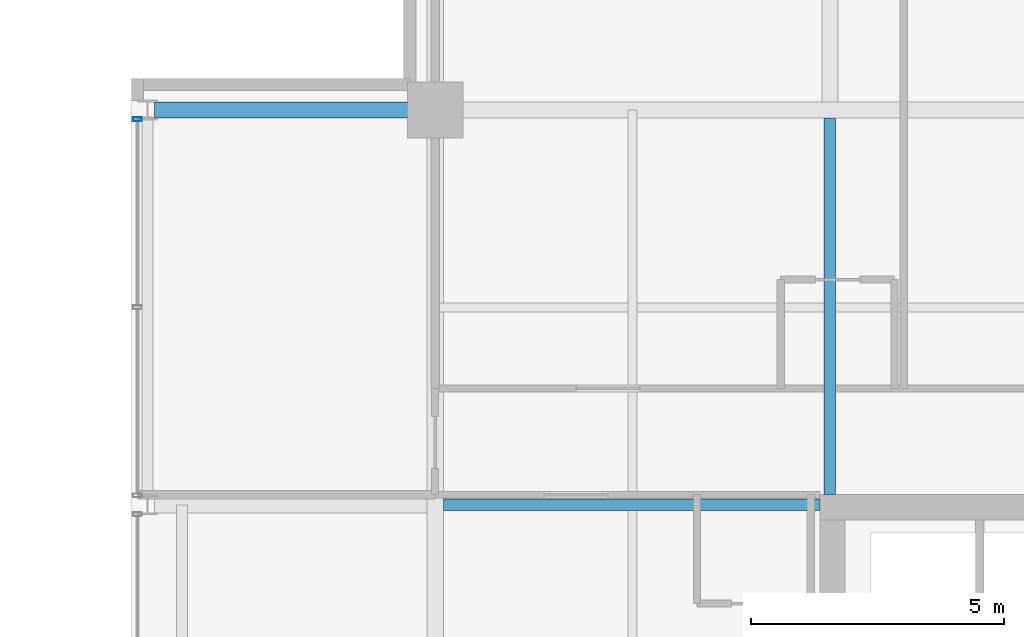
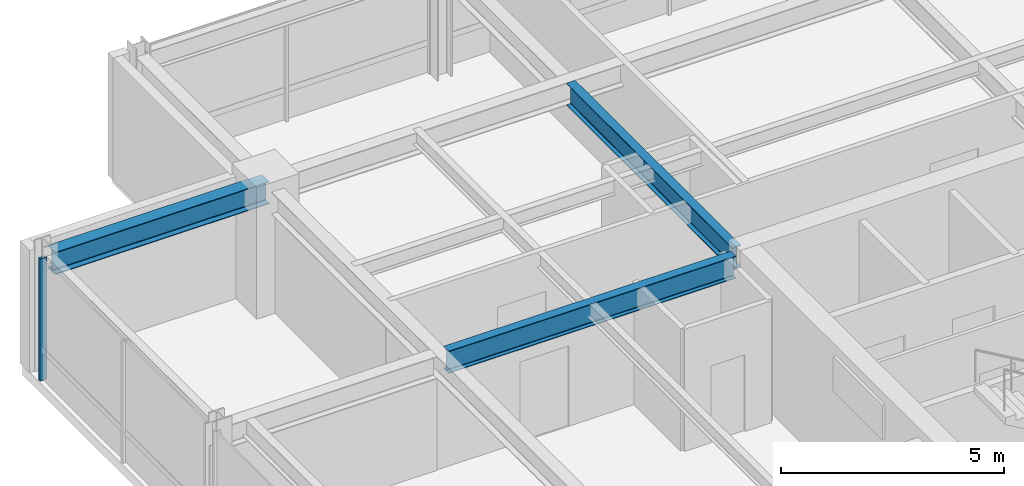
# One storey, part 18 of 32: 3 beams, 1 member, 1 element without a shape of its own.
"""IFC4 building model written with IfcOpenShell, lengths in metres."""

from ifc_helpers import new_model, si_unit, direction, frame, origin, origin_2d, place, context, subcontext, project, spatial, hollow_rectangle, i_section, extrude, material, layer, layer_set, material_profile, profile_set, type_object, element, aggregate, save


model = new_model("IFC4")

# Units and contexts
model_context = context("Model", 3, precision=1e-05, world=origin(), true_north=direction((0.0, 1.0)))
body_context = subcontext(model_context, "Body", "Model", "MODEL_VIEW")
ifc_project = project(units=[si_unit("LENGTHUNIT", "METRE"), si_unit("AREAUNIT", "SQUARE_METRE"), si_unit("VOLUMEUNIT", "CUBIC_METRE"), si_unit("PLANEANGLEUNIT", "RADIAN"), si_unit("MASSUNIT", "GRAM", prefix="KILO")], contexts=[model_context])

# Site, building, storey
site_placement = place(None, origin())
site = spatial("IfcSite", under=ifc_project, at=site_placement, CompositionType="ELEMENT")
building_placement = place(site_placement, origin())
building = spatial("IfcBuilding", under=site, at=building_placement, Name="Drelvath Grand Hotel", CompositionType="ELEMENT")
storey_placement = place(building_placement, frame((0.0, 0.0, 226.699951171875)))
storey = spatial("IfcBuildingStorey", under=building, at=storey_placement, Name="L59", CompositionType="ELEMENT", Elevation=226.699951171875)

# Curtain wall, member
ifc_material_1 = material(Name="Platinum-Mist Anodised Aluminium Frame", Category="aluminium")
ifc_layer = layer(ifc_material_1, 0.199951171875)
ifc_layer_set = layer_set([ifc_layer], Name="Platinum-Mist Anodised Aluminium Frame")
curtain_wall_type = type_object("IfcCurtainWallType", Name="Stick Curtain Wall CW-05 Platinum Mist High-Rise", PredefinedType="NOTDEFINED", material=ifc_layer_set)
curtain_wall_placement = place(storey_placement, origin())
curtain_wall = element("IfcCurtainWall", 1, at=curtain_wall_placement, inside=storey, type_object=curtain_wall_type, Name="L59 CW-05 Curtain Wall CW05-L59-WN2", PredefinedType="NOTDEFINED")
ifc_material_profile_1 = material_profile(ifc_material_1, hollow_rectangle(XDim=0.074951171875, YDim=0.179931640625, WallThickness=0.0048828125, at=origin_2d()), Name="HSS180X75X5")
ifc_profile_set_1 = profile_set([ifc_material_profile_1], Name="Platinum-Mist Anodised Aluminium Frame")
member_type = type_object("IfcMemberType", Name="Curtain Wall Vertical Mullion CW-05 HSS180X75X5", PredefinedType="MULLION", material=ifc_profile_set_1)
member_placement = place(storey_placement, frame((-22.080078125, 43.0146484375, 0.0), z_axis=(0.0, 0.0, 1.0), x_axis=(0.0, 1.0, 0.0)))
member = element("IfcMember", 2, at=member_placement, type_object=member_type, Name="CW05-L59-WN2 Mullion 3", PredefinedType="MULLION", context=body_context, shape_type="SweptSolid", body=[
    extrude(hollow_rectangle(XDim=0.074951171875, YDim=0.179931640625, WallThickness=0.0048828125, at=origin_2d()), origin(), (0.0, 0.0, 1.0), 3.340087890625),
])
aggregate(curtain_wall, [member])

# Beams
ifc_material_2 = material(Name="Steel ASTM A992 Gr 50", Category="steel")
ifc_material_profile_2 = material_profile(ifc_material_2, i_section(OverallWidth=0.323974609375, OverallDepth=0.611083984375, WebThickness=0.0126953125, FlangeThickness=0.01904296875, FilletRadius=0.02197265625, at=origin_2d()), Name="W24X104")
ifc_profile_set_2 = profile_set([ifc_material_profile_2], Name="Steel ASTM A992 Gr 50")
beam_type_1 = type_object("IfcBeamType", Name="Primary Floor Girder W24X104", PredefinedType="BEAM", material=ifc_profile_set_2)
beam_placement = place(storey_placement, frame((-21.739990234375, 43.199951171875, 3.034423828125), z_axis=(1.0, 0.0, 0.0), x_axis=(0.0, 1.0, 0.0)))
element("IfcBeam", 3, at=beam_placement, inside=storey, type_object=beam_type_1, Name="L59 West Grid Girder G", PredefinedType="BEAM", context=body_context, shape_type="SweptSolid", body=[
    extrude(i_section(OverallWidth=0.323974609375, OverallDepth=0.611083984375, WebThickness=0.0126953125, FlangeThickness=0.01904296875, FilletRadius=0.02197265625, at=origin_2d()), origin(), (0.0, 0.0, 1.0), 5.5400390625),
])
ifc_material_profile_3 = material_profile(ifc_material_2, i_section(OverallWidth=0.228271484375, OverallDepth=0.607666015625, WebThickness=0.01123046875, FlangeThickness=0.017333984375, FilletRadius=0.02001953125, at=origin_2d()), Name="W24X76")
ifc_profile_set_3 = profile_set([ifc_material_profile_3], Name="Steel ASTM A992 Gr 50")
beam_type_2 = type_object("IfcBeamType", Name="Primary Floor Girder W24X76", PredefinedType="BEAM", material=ifc_profile_set_3)
for number, where, z_axis, x_axis, name in (
    (4, (-16.0380859375, 35.39990234375, 3.0361328125), (1.0, 0.0, 0.0), (0.0, 1.0, 0.0), "L59 West Core Tie F"),
    (5, (-8.39990234375, 35.60009765625, 3.0361328125), (0.0, 1.0, 0.0), (-1.0, 0.0, 0.0), "L59 North Core Tie 4"),
):
    element("IfcBeam", number, at=place(storey_placement, frame(where, z_axis=z_axis, x_axis=x_axis)), inside=storey, type_object=beam_type_2, Name=name, PredefinedType="BEAM", context=body_context, shape_type="SweptSolid", body=[
        extrude(i_section(OverallWidth=0.228271484375, OverallDepth=0.607666015625, WebThickness=0.01123046875, FlangeThickness=0.017333984375, FilletRadius=0.02001953125, at=origin_2d()), origin(), (0.0, 0.0, 1.0), 7.43798828125),
    ])

save(model, "model.ifc")
